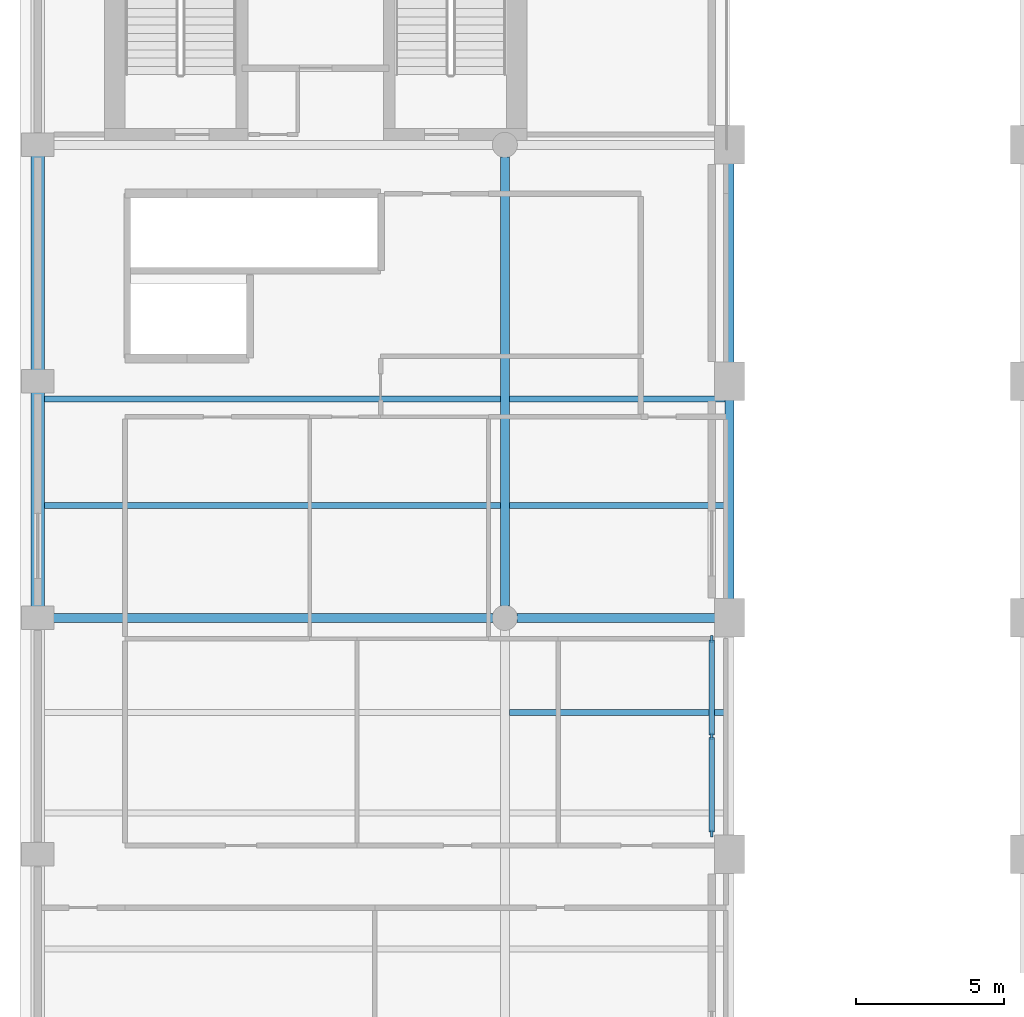
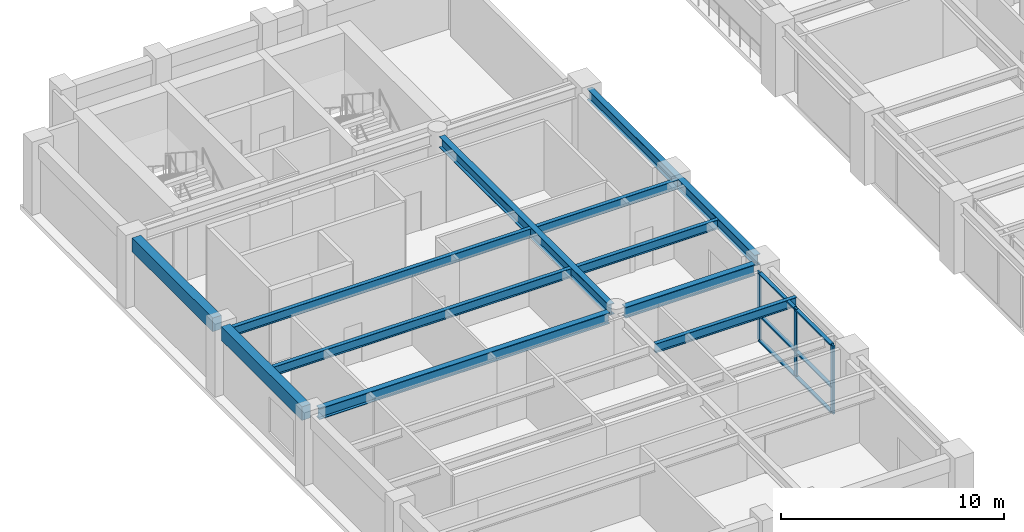
# One storey, part 2 of 10: 11 beams, 9 members, 1 element without a shape of its own.
"""IFC4 building model written with IfcOpenShell, lengths in metres."""

from ifc_helpers import new_model, si_unit, direction, frame, origin, origin_2d, place, context, subcontext, project, spatial, rectangle, i_section, extrude, material, layer, layer_set, material_profile, profile_set, type_object, element, aggregate, save


model = new_model("IFC4")

# Units and contexts
model_context = context("Model", 3, precision=1e-05, world=origin(), true_north=direction((0.0, 1.0)))
body_context = subcontext(model_context, "Body", "Model", "MODEL_VIEW")
ifc_project = project(units=[si_unit("LENGTHUNIT", "METRE"), si_unit("AREAUNIT", "SQUARE_METRE"), si_unit("VOLUMEUNIT", "CUBIC_METRE"), si_unit("PLANEANGLEUNIT", "RADIAN"), si_unit("MASSUNIT", "GRAM", prefix="KILO")], contexts=[model_context])

# Site, building, storey
site_placement = place(None, origin())
site = spatial("IfcSite", under=ifc_project, at=site_placement, CompositionType="ELEMENT")
building_placement = place(site_placement, origin())
building = spatial("IfcBuilding", under=site, at=building_placement, Name="Sulina Concourse Tower", CompositionType="ELEMENT")
storey_placement = place(building_placement, frame((0.0, 0.0, 190.60009765625)))
storey = spatial("IfcBuildingStorey", under=building, at=storey_placement, Name="L46", CompositionType="ELEMENT", Elevation=190.60009765625)

# Beams
ifc_material_1 = material(Name="Steel S355", Category="steel")
ifc_material_profile_1 = material_profile(ifc_material_1, i_section(OverallWidth=0.199951171875, OverallDepth=0.5, WebThickness=0.01025390625, FlangeThickness=0.01611328125, at=origin_2d()), Name="IPE 500")
ifc_profile_set_1 = profile_set([ifc_material_profile_1], Name="Steel S355")
beam_type_1 = type_object("IfcBeamType", Name="Composite Floor Joist IPE500", PredefinedType="JOIST", material=ifc_profile_set_1)
beam_1_placement = place(storey_placement, frame((16.550048828125, 14.800048828125, 3.5), z_axis=(1.0, 0.0, 0.0), x_axis=(0.0, 1.0, 0.0)))
element("IfcBeam", 1, at=beam_1_placement, inside=storey, type_object=beam_type_1, Name="FJ-J15-2-L46", PredefinedType="JOIST", context=body_context, shape_type="SweptSolid", body=[
    extrude(i_section(OverallWidth=0.199951171875, OverallDepth=0.5, WebThickness=0.01025390625, FlangeThickness=0.01611328125, at=origin_2d()), origin(), (0.0, 0.0, 1.0), 7.300048828125),
])
beam_2_placement = place(storey_placement, frame((0.824951171875, 21.800048828125, 3.5), z_axis=(1.0, 0.0, 0.0), x_axis=(0.0, 1.0, 0.0)))
element("IfcBeam", 2, at=beam_2_placement, inside=storey, type_object=beam_type_1, Name="FJ-J22-1-L46", PredefinedType="JOIST", context=body_context, shape_type="SweptSolid", body=[
    extrude(i_section(OverallWidth=0.199951171875, OverallDepth=0.5, WebThickness=0.01025390625, FlangeThickness=0.01611328125, at=origin_2d()), origin(), (0.0, 0.0, 1.0), 15.425048828125),
])
beam_3_placement = place(storey_placement, frame((16.550048828125, 21.800048828125, 3.5), z_axis=(1.0, 0.0, 0.0), x_axis=(0.0, 1.0, 0.0)))
element("IfcBeam", 3, at=beam_3_placement, inside=storey, type_object=beam_type_1, Name="FJ-J22-2-L46", PredefinedType="JOIST", context=body_context, shape_type="SweptSolid", body=[
    extrude(i_section(OverallWidth=0.199951171875, OverallDepth=0.5, WebThickness=0.01025390625, FlangeThickness=0.01611328125, at=origin_2d()), origin(), (0.0, 0.0, 1.0), 7.300048828125),
])
beam_4_placement = place(storey_placement, frame((0.824951171875, 25.39990234375, 3.5), z_axis=(1.0, 0.0, 0.0), x_axis=(0.0, 1.0, 0.0)))
element("IfcBeam", 4, at=beam_4_placement, inside=storey, type_object=beam_type_1, Name="FJ-J25-1-L46", PredefinedType="JOIST", context=body_context, shape_type="SweptSolid", body=[
    extrude(i_section(OverallWidth=0.199951171875, OverallDepth=0.5, WebThickness=0.01025390625, FlangeThickness=0.01611328125, at=origin_2d()), origin(), (0.0, 0.0, 1.0), 15.425048828125),
])
beam_5_placement = place(storey_placement, frame((16.550048828125, 25.39990234375, 3.5), z_axis=(1.0, 0.0, 0.0), x_axis=(0.0, 1.0, 0.0)))
element("IfcBeam", 5, at=beam_5_placement, inside=storey, type_object=beam_type_1, Name="FJ-J25-2-L46", PredefinedType="JOIST", context=body_context, shape_type="SweptSolid", body=[
    extrude(i_section(OverallWidth=0.199951171875, OverallDepth=0.5, WebThickness=0.01025390625, FlangeThickness=0.01611328125, at=origin_2d()), origin(), (0.0, 0.0, 1.0), 7.300048828125),
])
ifc_material_2 = material(Name="Steel S355", Category="steel")
ifc_material_profile_2 = material_profile(ifc_material_2, i_section(OverallWidth=0.300048828125, OverallDepth=0.60009765625, WebThickness=0.015380859375, FlangeThickness=0.030029296875, at=origin_2d()), Name="HE 600 B")
ifc_profile_set_2 = profile_set([ifc_material_profile_2], Name="Steel S355")
beam_type_2 = type_object("IfcBeamType", Name="Floor Primary Girder Zone 3 HE600B", PredefinedType="BEAM", material=ifc_profile_set_2)
beam_6_placement = place(storey_placement, frame((0.97998046875, 18.0, 3.449951171875), z_axis=(1.0, 0.0, 0.0), x_axis=(0.0, 1.0, 0.0)))
element("IfcBeam", 6, at=beam_6_placement, inside=storey, type_object=beam_type_2, Name="FG-EW1-L46", PredefinedType="BEAM", context=body_context, shape_type="SweptSolid", body=[
    extrude(i_section(OverallWidth=0.300048828125, OverallDepth=0.60009765625, WebThickness=0.015380859375, FlangeThickness=0.030029296875, at=origin_2d()), origin(), (0.0, 0.0, 1.0), 15.01513671875),
])
beam_7_placement = place(storey_placement, frame((16.804931640625, 18.0, 3.449951171875), z_axis=(1.0, 0.0, 0.0), x_axis=(0.0, 1.0, 0.0)))
element("IfcBeam", 7, at=beam_7_placement, inside=storey, type_object=beam_type_2, Name="FG-EW2-L46", PredefinedType="BEAM", context=body_context, shape_type="SweptSolid", body=[
    extrude(i_section(OverallWidth=0.300048828125, OverallDepth=0.60009765625, WebThickness=0.015380859375, FlangeThickness=0.030029296875, at=origin_2d()), origin(), (0.0, 0.0, 1.0), 6.715087890625),
])
beam_8_placement = place(storey_placement, frame((16.39990234375, 18.405029296875, 3.449951171875), z_axis=(0.0, 1.0, 0.0), x_axis=(-1.0, 0.0, 0.0)))
element("IfcBeam", 8, at=beam_8_placement, inside=storey, type_object=beam_type_2, Name="FG-NSB-16-L46", PredefinedType="BEAM", context=body_context, shape_type="SweptSolid", body=[
    extrude(i_section(OverallWidth=0.300048828125, OverallDepth=0.60009765625, WebThickness=0.015380859375, FlangeThickness=0.030029296875, at=origin_2d()), origin(), (0.0, 0.0, 1.0), 15.18994140625),
])
beam_9_placement = place(storey_placement, frame((24.0, 18.47998046875, 3.449951171875), z_axis=(0.0, 1.0, 0.0), x_axis=(-1.0, 0.0, 0.0)))
element("IfcBeam", 9, at=beam_9_placement, inside=storey, type_object=beam_type_2, Name="FG-NSB-24-L46", PredefinedType="BEAM", context=body_context, shape_type="SweptSolid", body=[
    extrude(i_section(OverallWidth=0.300048828125, OverallDepth=0.60009765625, WebThickness=0.015380859375, FlangeThickness=0.030029296875, at=origin_2d()), origin(), (0.0, 0.0, 1.0), 15.0400390625),
])
ifc_material_3 = material(Name="Precast concrete C50/60", Category="concrete")
ifc_material_profile_3 = material_profile(ifc_material_3, rectangle(XDim=0.449951171875, YDim=0.75, at=origin_2d()), Name="RC 450x750")
ifc_profile_set_3 = profile_set([ifc_material_profile_3], Name="Precast concrete C50/60")
beam_type_3 = type_object("IfcBeamType", Name="Upper Precast Spandrel Edge Beam 450x750", PredefinedType="BEAM", material=ifc_profile_set_3)
for number, where, z_axis, x_axis, name in (
    (10, (0.60009765625, 18.3798828125, 3.375), (0.0, 1.0, 0.0), (-1.0, 0.0, 0.0), "SP-W3-L46"),
    (11, (0.60009765625, 26.3798828125, 3.375), (0.0, 1.0, 0.0), (-1.0, 0.0, 0.0), "SP-W4-L46"),
):
    element("IfcBeam", number, at=place(storey_placement, frame(where, z_axis=z_axis, x_axis=x_axis)), inside=storey, type_object=beam_type_3, Name=name, PredefinedType="BEAM", context=body_context, shape_type="SweptSolid", body=[
        extrude(rectangle(XDim=0.449951171875, YDim=0.75, at=origin_2d()), origin(), (0.0, 0.0, 1.0), 7.240234375),
    ])

# Curtain wall, members
ifc_material_4 = material(Name="Aluminium 6063-T6", Category="aluminium")
ifc_layer = layer(ifc_material_4, 0.25)
ifc_layer_set = layer_set([ifc_layer], Name="Aluminium 6063-T6")
curtain_wall_type = type_object("IfcCurtainWallType", Name="Upper Wind-Portal Curtain Wall System", PredefinedType="NOTDEFINED", material=ifc_layer_set)
curtain_wall_placement = place(storey_placement, origin())
curtain_wall = element("IfcCurtainWall", 12, at=curtain_wall_placement, inside=storey, type_object=curtain_wall_type, Name="L46 glazed curtain wall PW2", PredefinedType="NOTDEFINED")
ifc_material_5 = material(Name="Aluminium 6063-T6", Category="aluminium")
ifc_material_profile_4 = material_profile(ifc_material_5, rectangle(XDim=0.080078125, YDim=0.22998046875, at=origin_2d()), Name="MUL 80x230")
ifc_profile_set_4 = profile_set([ifc_material_profile_4], Name="Aluminium 6063-T6")
member_type_1 = type_object("IfcMemberType", Name="Upper Wind-Portal Curtain Wall System Mullion 80x230", PredefinedType="MULLION", material=ifc_profile_set_4)
member_1_placement = place(storey_placement, frame((23.39990234375, 17.2900390625, 0.0), z_axis=(0.0, 0.0, 1.0), x_axis=(1.0, 0.0, 0.0)))
member_1 = element("IfcMember", 13, at=member_1_placement, type_object=member_type_1, Name="CW-04 mullion 1", PredefinedType="MULLION", context=body_context, shape_type="SweptSolid", body=[
    extrude(rectangle(XDim=0.080078125, YDim=0.22998046875, at=origin_2d()), origin(), (0.0, 0.0, 1.0), 3.75),
])
member_2_placement = place(storey_placement, frame((23.39990234375, 14.0, 0.0), z_axis=(0.0, 0.0, 1.0), x_axis=(1.0, 0.0, 0.0)))
member_2 = element("IfcMember", 14, at=member_2_placement, type_object=member_type_1, Name="CW-04 mullion 2", PredefinedType="MULLION", context=body_context, shape_type="SweptSolid", body=[
    extrude(rectangle(XDim=0.080078125, YDim=0.22998046875, at=origin_2d()), origin(), (0.0, 0.0, 1.0), 3.75),
])
member_3_placement = place(storey_placement, frame((23.39990234375, 10.7099609375, 0.0), z_axis=(0.0, 0.0, 1.0), x_axis=(1.0, 0.0, 0.0)))
member_3 = element("IfcMember", 15, at=member_3_placement, type_object=member_type_1, Name="CW-04 mullion 3", PredefinedType="MULLION", context=body_context, shape_type="SweptSolid", body=[
    extrude(rectangle(XDim=0.080078125, YDim=0.22998046875, at=origin_2d()), origin(), (0.0, 0.0, 1.0), 3.75),
])
ifc_material_6 = material(Name="Aluminium 6063-T6", Category="aluminium")
ifc_material_profile_5 = material_profile(ifc_material_6, rectangle(XDim=0.18505859375, YDim=0.074951171875, at=origin_2d()), Name="TRN 75x185")
ifc_profile_set_5 = profile_set([ifc_material_profile_5], Name="Aluminium 6063-T6")
member_type_2 = type_object("IfcMemberType", Name="Upper Wind-Portal Curtain Wall System Transom 75x185", PredefinedType="USERDEFINED", material=ifc_profile_set_5)
member_4_placement = place(storey_placement, frame((23.39990234375, 17.25, 0.037353515625), z_axis=(0.0, -1.0, 0.0), x_axis=(1.0, 0.0, 0.0)))
member_4 = element("IfcMember", 16, at=member_4_placement, type_object=member_type_2, Name="CW-04 transom 1.1", ObjectType="TRANSOM", PredefinedType="USERDEFINED", context=body_context, shape_type="SweptSolid", body=[
    extrude(rectangle(XDim=0.18505859375, YDim=0.074951171875, at=origin_2d()), origin(), (0.0, 0.0, 1.0), 3.2099609375),
])
member_5_placement = place(storey_placement, frame((23.39990234375, 17.25, 1.4248046875), z_axis=(0.0, -1.0, 0.0), x_axis=(1.0, 0.0, 0.0)))
member_5 = element("IfcMember", 17, at=member_5_placement, type_object=member_type_2, Name="CW-04 transom 1.2", ObjectType="TRANSOM", PredefinedType="USERDEFINED", context=body_context, shape_type="SweptSolid", body=[
    extrude(rectangle(XDim=0.18505859375, YDim=0.074951171875, at=origin_2d()), origin(), (0.0, 0.0, 1.0), 3.2099609375),
])
member_6_placement = place(storey_placement, frame((23.39990234375, 17.25, 3.71240234375), z_axis=(0.0, -1.0, 0.0), x_axis=(1.0, 0.0, 0.0)))
member_6 = element("IfcMember", 18, at=member_6_placement, type_object=member_type_2, Name="CW-04 transom 1.3", ObjectType="TRANSOM", PredefinedType="USERDEFINED", context=body_context, shape_type="SweptSolid", body=[
    extrude(rectangle(XDim=0.18505859375, YDim=0.074951171875, at=origin_2d()), origin(), (0.0, 0.0, 1.0), 3.2099609375),
])
member_7_placement = place(storey_placement, frame((23.39990234375, 13.9599609375, 0.037353515625), z_axis=(0.0, -1.0, 0.0), x_axis=(1.0, 0.0, 0.0)))
member_7 = element("IfcMember", 19, at=member_7_placement, type_object=member_type_2, Name="CW-04 transom 2.1", ObjectType="TRANSOM", PredefinedType="USERDEFINED", context=body_context, shape_type="SweptSolid", body=[
    extrude(rectangle(XDim=0.18505859375, YDim=0.074951171875, at=origin_2d()), origin(), (0.0, 0.0, 1.0), 3.2099609375),
])
member_8_placement = place(storey_placement, frame((23.39990234375, 13.9599609375, 1.4248046875), z_axis=(0.0, -1.0, 0.0), x_axis=(1.0, 0.0, 0.0)))
member_8 = element("IfcMember", 20, at=member_8_placement, type_object=member_type_2, Name="CW-04 transom 2.2", ObjectType="TRANSOM", PredefinedType="USERDEFINED", context=body_context, shape_type="SweptSolid", body=[
    extrude(rectangle(XDim=0.18505859375, YDim=0.074951171875, at=origin_2d()), origin(), (0.0, 0.0, 1.0), 3.2099609375),
])
member_9_placement = place(storey_placement, frame((23.39990234375, 13.9599609375, 3.71240234375), z_axis=(0.0, -1.0, 0.0), x_axis=(1.0, 0.0, 0.0)))
member_9 = element("IfcMember", 21, at=member_9_placement, type_object=member_type_2, Name="CW-04 transom 2.3", ObjectType="TRANSOM", PredefinedType="USERDEFINED", context=body_context, shape_type="SweptSolid", body=[
    extrude(rectangle(XDim=0.18505859375, YDim=0.074951171875, at=origin_2d()), origin(), (0.0, 0.0, 1.0), 3.2099609375),
])
aggregate(curtain_wall, [member_1, member_2, member_3, member_4, member_5, member_6, member_7, member_8, member_9])

save(model, "model.ifc")
